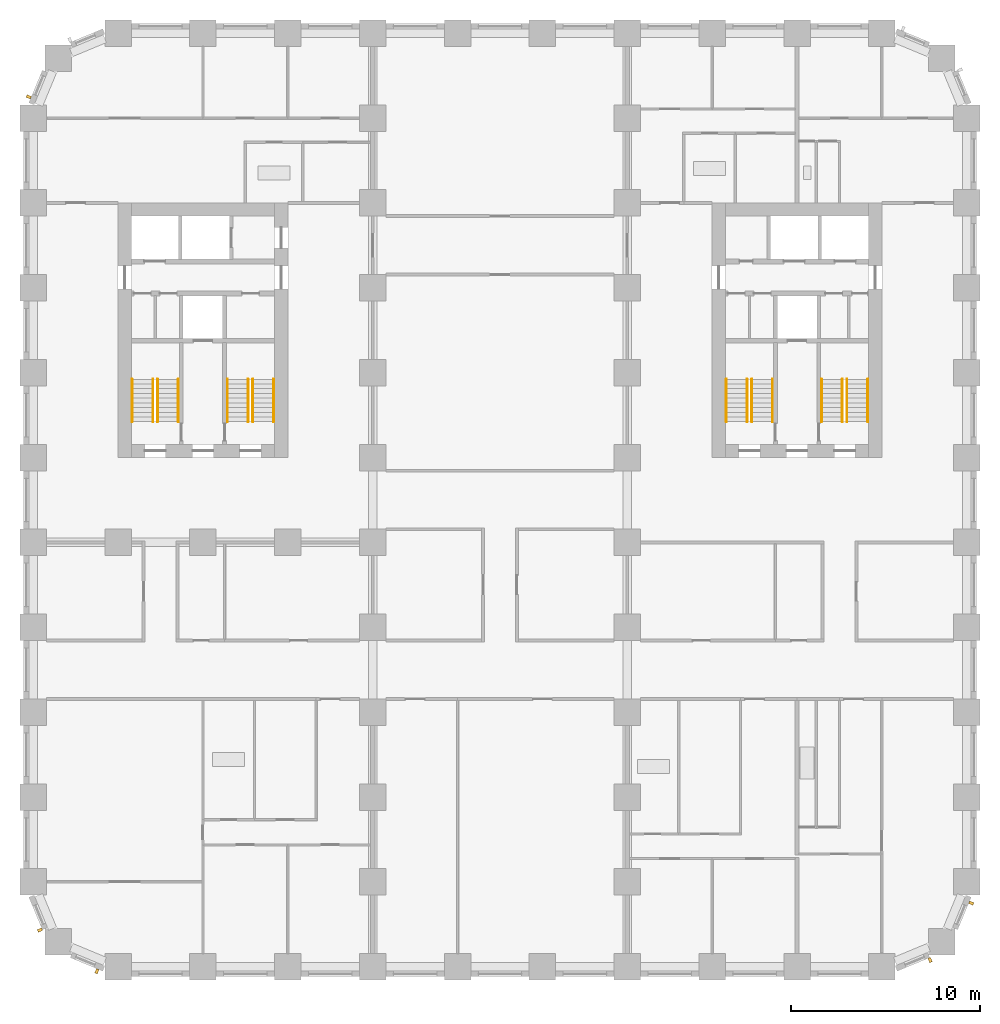
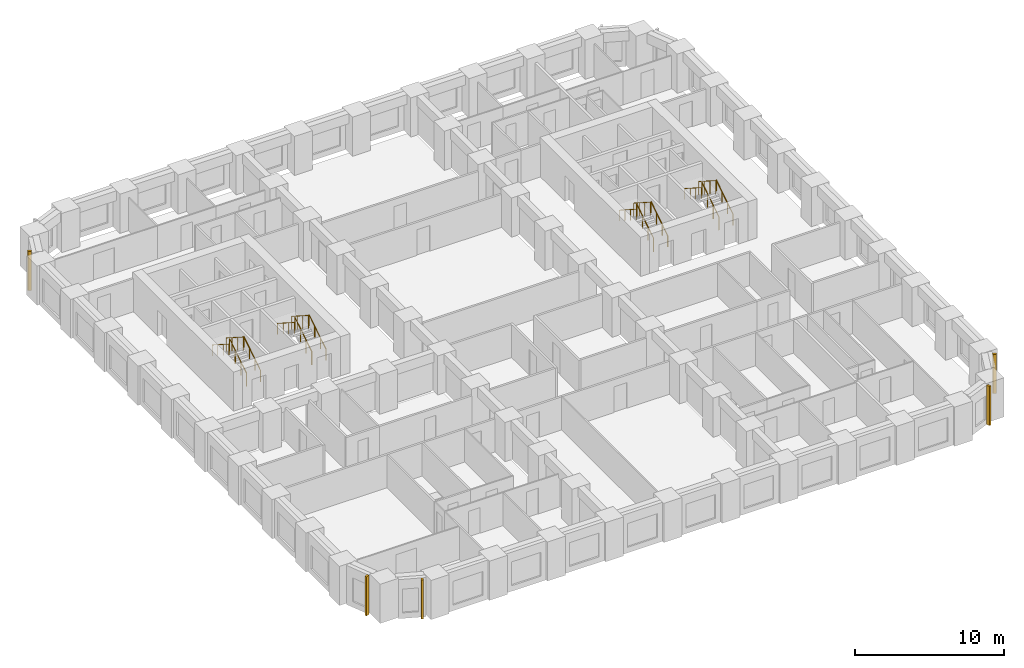
# One storey, part 10 of 12: 16 railings, 5 shading devices.
"""IFC4 building model written with IfcOpenShell, lengths in metres."""

from ifc_helpers import new_model, si_unit, direction, frame, origin, origin_2d, place, context, subcontext, project, spatial, rectangle, circle, extrude, material, type_object, element, save


model = new_model("IFC4")

# Units and contexts
model_context = context("Model", 3, precision=1e-05, world=origin(), true_north=direction((0.0, 1.0)))
body_context = subcontext(model_context, "Body", "Model", "MODEL_VIEW")
ifc_project = project(units=[si_unit("LENGTHUNIT", "METRE"), si_unit("AREAUNIT", "SQUARE_METRE"), si_unit("VOLUMEUNIT", "CUBIC_METRE"), si_unit("PLANEANGLEUNIT", "RADIAN"), si_unit("MASSUNIT", "GRAM", prefix="KILO")], contexts=[model_context])

# Site, building, storey
site_placement = place(None, origin())
site = spatial("IfcSite", under=ifc_project, at=site_placement, CompositionType="ELEMENT")
building_placement = place(site_placement, origin())
building = spatial("IfcBuilding", under=site, at=building_placement, Name="Girih Gate Residences", CompositionType="ELEMENT")
storey_placement = place(building_placement, frame((0.0, 0.0, 72.0)))
storey = spatial("IfcBuildingStorey", under=building, at=storey_placement, Name="L19", CompositionType="ELEMENT", Elevation=72.0)

# Shading devices
ifc_material_1 = material(Name="Precast concrete C50/60", Category="concrete")
shading_device_type = type_object("IfcShadingDeviceType", Name="Corner rib 150x250", PredefinedType="USERDEFINED", material=ifc_material_1)
for number, where, z_axis, x_axis, name in (
    (1, (0.35498046875, 1.9443359375, 0.0), (0.0, 0.0, 1.0), (0.382683432365, -0.923879532511, 0.0), "Corner rib SW0000_0045.0"),
    (2, (3.376220703125, -0.238037109375, 0.0), (0.0, 0.0, 1.0), (0.923879532511, -0.382683432365, 0.0), "Corner rib SW0013_0013.0"),
    (3, (47.5556640625, 0.35498046875, 0.0), (0.0, 0.0, 1.0), (0.923879532511, 0.382683432365, 0.0), "Corner rib SE0450_0000.0"),
    (4, (49.738037109375, 3.376220703125, 0.0), (0.0, 0.0, 1.0), (0.382683432365, 0.923879532511, 0.0), "Corner rib SE0482_0013.0"),
    (5, (-0.238037109375, 46.123779296875, 0.0), (0.0, 0.0, 1.0), (-0.382683432365, -0.923879532511, 0.0), "Corner rib NW0013_0482.0"),
):
    element("IfcShadingDevice", number, at=place(storey_placement, frame(where, z_axis=z_axis, x_axis=x_axis)), inside=storey, type_object=shading_device_type, Name=name, ObjectType="FIN", PredefinedType="USERDEFINED", context=body_context, shape_type="SweptSolid", body=[
        extrude(rectangle(XDim=0.14990234375, YDim=0.25, at=origin_2d()), origin(), (0.0, 0.0, 1.0), 3.199951171875),
    ])

# Railings
ifc_material_2 = material(Name="Stainless steel", Category="steel")
railing_type_1 = type_object("IfcRailingType", Name="Stair guard 1100", PredefinedType="GUARDRAIL", material=ifc_material_2)
railing_1_placement = place(storey_placement, frame((6.60009765625, 28.89990234375, 0.159912109375)))
element("IfcRailing", 6, at=railing_1_placement, inside=storey, type_object=railing_type_1, Name="L19 ST-W1 stair guard 1", PredefinedType="GUARDRAIL", context=body_context, shape_type="SweptSolid", body=[
    extrude(circle(Radius=0.02392578125, at=origin_2d()), frame((0.0, 0.0, 1.076171875), z_axis=(0.0, 0.842239864353, 0.539102968731), x_axis=(-1.0, 0.0, 0.0)), (0.0, 0.0, 1.0), 2.67138671875),
    extrude(circle(Radius=0.02099609375, at=origin_2d()), origin(), (0.0, 0.0, 1.0), 1.052001953125),
    extrude(circle(Radius=0.02099609375, at=origin_2d()), frame((0.0, 0.75, 0.47998046875)), (0.0, 0.0, 1.0), 1.052001953125),
    extrude(circle(Radius=0.02099609375, at=origin_2d()), frame((0.0, 1.5, 0.960205078125)), (0.0, 0.0, 1.0), 1.052001953125),
    extrude(circle(Radius=0.02099609375, at=origin_2d()), frame((0.0, 2.25, 1.440185546875)), (0.0, 0.0, 1.0), 1.052001953125),
])
railing_2_placement = place(storey_placement, frame((6.35009765625, 31.14990234375, 1.760009765625)))
element("IfcRailing", 7, at=railing_2_placement, inside=storey, type_object=railing_type_1, Name="L19 ST-W1 stair guard 2", PredefinedType="GUARDRAIL", context=body_context, shape_type="SweptSolid", body=[
    extrude(circle(Radius=0.02392578125, at=origin_2d()), frame((0.0, 0.0, 1.076171875), z_axis=(0.0, -0.842281359387, 0.539038135598), x_axis=(1.0, 0.0, 0.0)), (0.0, 0.0, 1.0), 2.67138671875),
    extrude(circle(Radius=0.02099609375, at=origin_2d()), origin(), (0.0, 0.0, 1.0), 1.052001953125),
    extrude(circle(Radius=0.02099609375, at=origin_2d()), frame((0.0, -0.75, 0.47998046875)), (0.0, 0.0, 1.0), 1.052001953125),
    extrude(circle(Radius=0.02099609375, at=origin_2d()), frame((0.0, -1.5, 0.9599609375)), (0.0, 0.0, 1.0), 1.052001953125),
    extrude(circle(Radius=0.02099609375, at=origin_2d()), frame((0.0, -2.25, 1.43994140625)), (0.0, 0.0, 1.0), 1.052001953125),
])
railing_3_placement = place(storey_placement, frame((11.64990234375, 28.89990234375, 0.159912109375)))
element("IfcRailing", 8, at=railing_3_placement, inside=storey, type_object=railing_type_1, Name="L19 ST-W2 stair guard 1", PredefinedType="GUARDRAIL", context=body_context, shape_type="SweptSolid", body=[
    extrude(circle(Radius=0.02392578125, at=origin_2d()), frame((0.0, 0.0, 1.076171875), z_axis=(0.0, 0.842239864353, 0.539102968731), x_axis=(-1.0, 0.0, 0.0)), (0.0, 0.0, 1.0), 2.67138671875),
    extrude(circle(Radius=0.02099609375, at=origin_2d()), origin(), (0.0, 0.0, 1.0), 1.052001953125),
    extrude(circle(Radius=0.02099609375, at=origin_2d()), frame((0.0, 0.75, 0.47998046875)), (0.0, 0.0, 1.0), 1.052001953125),
    extrude(circle(Radius=0.02099609375, at=origin_2d()), frame((0.0, 1.5, 0.960205078125)), (0.0, 0.0, 1.0), 1.052001953125),
    extrude(circle(Radius=0.02099609375, at=origin_2d()), frame((0.0, 2.25, 1.440185546875)), (0.0, 0.0, 1.0), 1.052001953125),
])
railing_4_placement = place(storey_placement, frame((11.39990234375, 31.14990234375, 1.760009765625)))
element("IfcRailing", 9, at=railing_4_placement, inside=storey, type_object=railing_type_1, Name="L19 ST-W2 stair guard 2", PredefinedType="GUARDRAIL", context=body_context, shape_type="SweptSolid", body=[
    extrude(circle(Radius=0.02392578125, at=origin_2d()), frame((0.0, 0.0, 1.076171875), z_axis=(0.0, -0.842281359387, 0.539038135598), x_axis=(1.0, 0.0, 0.0)), (0.0, 0.0, 1.0), 2.67138671875),
    extrude(circle(Radius=0.02099609375, at=origin_2d()), origin(), (0.0, 0.0, 1.0), 1.052001953125),
    extrude(circle(Radius=0.02099609375, at=origin_2d()), frame((0.0, -0.75, 0.47998046875)), (0.0, 0.0, 1.0), 1.052001953125),
    extrude(circle(Radius=0.02099609375, at=origin_2d()), frame((0.0, -1.5, 0.9599609375)), (0.0, 0.0, 1.0), 1.052001953125),
    extrude(circle(Radius=0.02099609375, at=origin_2d()), frame((0.0, -2.25, 1.43994140625)), (0.0, 0.0, 1.0), 1.052001953125),
])
railing_5_placement = place(storey_placement, frame((43.14990234375, 28.89990234375, 0.159912109375)))
element("IfcRailing", 10, at=railing_5_placement, inside=storey, type_object=railing_type_1, Name="L19 ST-E1 stair guard 1", PredefinedType="GUARDRAIL", context=body_context, shape_type="SweptSolid", body=[
    extrude(circle(Radius=0.02392578125, at=origin_2d()), frame((0.0, 0.0, 1.076171875), z_axis=(0.0, 0.842239864353, 0.539102968731), x_axis=(-1.0, 0.0, 0.0)), (0.0, 0.0, 1.0), 2.67138671875),
    extrude(circle(Radius=0.02099609375, at=origin_2d()), origin(), (0.0, 0.0, 1.0), 1.052001953125),
    extrude(circle(Radius=0.02099609375, at=origin_2d()), frame((0.0, 0.75, 0.47998046875)), (0.0, 0.0, 1.0), 1.052001953125),
    extrude(circle(Radius=0.02099609375, at=origin_2d()), frame((0.0, 1.5, 0.960205078125)), (0.0, 0.0, 1.0), 1.052001953125),
    extrude(circle(Radius=0.02099609375, at=origin_2d()), frame((0.0, 2.25, 1.440185546875)), (0.0, 0.0, 1.0), 1.052001953125),
])
railing_6_placement = place(storey_placement, frame((42.89990234375, 31.14990234375, 1.760009765625)))
element("IfcRailing", 11, at=railing_6_placement, inside=storey, type_object=railing_type_1, Name="L19 ST-E1 stair guard 2", PredefinedType="GUARDRAIL", context=body_context, shape_type="SweptSolid", body=[
    extrude(circle(Radius=0.02392578125, at=origin_2d()), frame((0.0, 0.0, 1.076171875), z_axis=(0.0, -0.842281359387, 0.539038135598), x_axis=(1.0, 0.0, 0.0)), (0.0, 0.0, 1.0), 2.67138671875),
    extrude(circle(Radius=0.02099609375, at=origin_2d()), origin(), (0.0, 0.0, 1.0), 1.052001953125),
    extrude(circle(Radius=0.02099609375, at=origin_2d()), frame((0.0, -0.75, 0.47998046875)), (0.0, 0.0, 1.0), 1.052001953125),
    extrude(circle(Radius=0.02099609375, at=origin_2d()), frame((0.0, -1.5, 0.9599609375)), (0.0, 0.0, 1.0), 1.052001953125),
    extrude(circle(Radius=0.02099609375, at=origin_2d()), frame((0.0, -2.25, 1.43994140625)), (0.0, 0.0, 1.0), 1.052001953125),
])
railing_7_placement = place(storey_placement, frame((38.10009765625, 28.89990234375, 0.159912109375)))
element("IfcRailing", 12, at=railing_7_placement, inside=storey, type_object=railing_type_1, Name="L19 ST-E2 stair guard 1", PredefinedType="GUARDRAIL", context=body_context, shape_type="SweptSolid", body=[
    extrude(circle(Radius=0.02392578125, at=origin_2d()), frame((0.0, 0.0, 1.076171875), z_axis=(0.0, 0.842239864353, 0.539102968731), x_axis=(-1.0, 0.0, 0.0)), (0.0, 0.0, 1.0), 2.67138671875),
    extrude(circle(Radius=0.02099609375, at=origin_2d()), origin(), (0.0, 0.0, 1.0), 1.052001953125),
    extrude(circle(Radius=0.02099609375, at=origin_2d()), frame((0.0, 0.75, 0.47998046875)), (0.0, 0.0, 1.0), 1.052001953125),
    extrude(circle(Radius=0.02099609375, at=origin_2d()), frame((0.0, 1.5, 0.960205078125)), (0.0, 0.0, 1.0), 1.052001953125),
    extrude(circle(Radius=0.02099609375, at=origin_2d()), frame((0.0, 2.25, 1.440185546875)), (0.0, 0.0, 1.0), 1.052001953125),
])
railing_8_placement = place(storey_placement, frame((37.85009765625, 31.14990234375, 1.760009765625)))
element("IfcRailing", 13, at=railing_8_placement, inside=storey, type_object=railing_type_1, Name="L19 ST-E2 stair guard 2", PredefinedType="GUARDRAIL", context=body_context, shape_type="SweptSolid", body=[
    extrude(circle(Radius=0.02392578125, at=origin_2d()), frame((0.0, 0.0, 1.076171875), z_axis=(0.0, -0.842281359387, 0.539038135598), x_axis=(1.0, 0.0, 0.0)), (0.0, 0.0, 1.0), 2.67138671875),
    extrude(circle(Radius=0.02099609375, at=origin_2d()), origin(), (0.0, 0.0, 1.0), 1.052001953125),
    extrude(circle(Radius=0.02099609375, at=origin_2d()), frame((0.0, -0.75, 0.47998046875)), (0.0, 0.0, 1.0), 1.052001953125),
    extrude(circle(Radius=0.02099609375, at=origin_2d()), frame((0.0, -1.5, 0.9599609375)), (0.0, 0.0, 1.0), 1.052001953125),
    extrude(circle(Radius=0.02099609375, at=origin_2d()), frame((0.0, -2.25, 1.43994140625)), (0.0, 0.0, 1.0), 1.052001953125),
])
railing_type_2 = type_object("IfcRailingType", Name="Stair handrail 900", PredefinedType="HANDRAIL", material=ifc_material_2)
railing_9_placement = place(storey_placement, frame((7.699951171875, 28.89990234375, 0.159912109375)))
element("IfcRailing", 14, at=railing_9_placement, inside=storey, type_object=railing_type_2, Name="L19 ST-W1 stair handrail 1", PredefinedType="HANDRAIL", context=body_context, shape_type="SweptSolid", body=[
    extrude(circle(Radius=0.02392578125, at=origin_2d()), frame((0.0, 0.0, 0.8857421875), z_axis=(0.0, 0.842239864353, 0.539102968731), x_axis=(-1.0, 0.0, 0.0)), (0.0, 0.0, 1.0), 2.67138671875),
    extrude(circle(Radius=0.02099609375, at=origin_2d()), origin(), (0.0, 0.0, 1.0), 0.86181640625),
    extrude(circle(Radius=0.02099609375, at=origin_2d()), frame((0.0, 0.75, 0.47998046875)), (0.0, 0.0, 1.0), 0.86181640625),
    extrude(circle(Radius=0.02099609375, at=origin_2d()), frame((0.0, 1.5, 0.960205078125)), (0.0, 0.0, 1.0), 0.86181640625),
    extrude(circle(Radius=0.02099609375, at=origin_2d()), frame((0.0, 2.25, 1.440185546875)), (0.0, 0.0, 1.0), 0.86181640625),
])
railing_10_placement = place(storey_placement, frame((5.25, 31.14990234375, 1.760009765625)))
element("IfcRailing", 15, at=railing_10_placement, inside=storey, type_object=railing_type_2, Name="L19 ST-W1 stair handrail 2", PredefinedType="HANDRAIL", context=body_context, shape_type="SweptSolid", body=[
    extrude(circle(Radius=0.02392578125, at=origin_2d()), frame((0.0, 0.0, 0.8857421875), z_axis=(0.0, -0.842281359387, 0.539038135598), x_axis=(1.0, 0.0, 0.0)), (0.0, 0.0, 1.0), 2.67138671875),
    extrude(circle(Radius=0.02099609375, at=origin_2d()), origin(), (0.0, 0.0, 1.0), 0.86181640625),
    extrude(circle(Radius=0.02099609375, at=origin_2d()), frame((0.0, -0.75, 0.47998046875)), (0.0, 0.0, 1.0), 0.86181640625),
    extrude(circle(Radius=0.02099609375, at=origin_2d()), frame((0.0, -1.5, 0.9599609375)), (0.0, 0.0, 1.0), 0.86181640625),
    extrude(circle(Radius=0.02099609375, at=origin_2d()), frame((0.0, -2.25, 1.43994140625)), (0.0, 0.0, 1.0), 0.86181640625),
])
railing_11_placement = place(storey_placement, frame((12.75, 28.89990234375, 0.159912109375)))
element("IfcRailing", 16, at=railing_11_placement, inside=storey, type_object=railing_type_2, Name="L19 ST-W2 stair handrail 1", PredefinedType="HANDRAIL", context=body_context, shape_type="SweptSolid", body=[
    extrude(circle(Radius=0.02392578125, at=origin_2d()), frame((0.0, 0.0, 0.8857421875), z_axis=(0.0, 0.842239864353, 0.539102968731), x_axis=(-1.0, 0.0, 0.0)), (0.0, 0.0, 1.0), 2.67138671875),
    extrude(circle(Radius=0.02099609375, at=origin_2d()), origin(), (0.0, 0.0, 1.0), 0.86181640625),
    extrude(circle(Radius=0.02099609375, at=origin_2d()), frame((0.0, 0.75, 0.47998046875)), (0.0, 0.0, 1.0), 0.86181640625),
    extrude(circle(Radius=0.02099609375, at=origin_2d()), frame((0.0, 1.5, 0.960205078125)), (0.0, 0.0, 1.0), 0.86181640625),
    extrude(circle(Radius=0.02099609375, at=origin_2d()), frame((0.0, 2.25, 1.440185546875)), (0.0, 0.0, 1.0), 0.86181640625),
])
railing_12_placement = place(storey_placement, frame((10.300048828125, 31.14990234375, 1.760009765625)))
element("IfcRailing", 17, at=railing_12_placement, inside=storey, type_object=railing_type_2, Name="L19 ST-W2 stair handrail 2", PredefinedType="HANDRAIL", context=body_context, shape_type="SweptSolid", body=[
    extrude(circle(Radius=0.02392578125, at=origin_2d()), frame((0.0, 0.0, 0.8857421875), z_axis=(0.0, -0.842281359387, 0.539038135598), x_axis=(1.0, 0.0, 0.0)), (0.0, 0.0, 1.0), 2.67138671875),
    extrude(circle(Radius=0.02099609375, at=origin_2d()), origin(), (0.0, 0.0, 1.0), 0.86181640625),
    extrude(circle(Radius=0.02099609375, at=origin_2d()), frame((0.0, -0.75, 0.47998046875)), (0.0, 0.0, 1.0), 0.86181640625),
    extrude(circle(Radius=0.02099609375, at=origin_2d()), frame((0.0, -1.5, 0.9599609375)), (0.0, 0.0, 1.0), 0.86181640625),
    extrude(circle(Radius=0.02099609375, at=origin_2d()), frame((0.0, -2.25, 1.43994140625)), (0.0, 0.0, 1.0), 0.86181640625),
])
railing_13_placement = place(storey_placement, frame((44.25, 28.89990234375, 0.159912109375)))
element("IfcRailing", 18, at=railing_13_placement, inside=storey, type_object=railing_type_2, Name="L19 ST-E1 stair handrail 1", PredefinedType="HANDRAIL", context=body_context, shape_type="SweptSolid", body=[
    extrude(circle(Radius=0.02392578125, at=origin_2d()), frame((0.0, 0.0, 0.8857421875), z_axis=(0.0, 0.842239864353, 0.539102968731), x_axis=(-1.0, 0.0, 0.0)), (0.0, 0.0, 1.0), 2.67138671875),
    extrude(circle(Radius=0.02099609375, at=origin_2d()), origin(), (0.0, 0.0, 1.0), 0.86181640625),
    extrude(circle(Radius=0.02099609375, at=origin_2d()), frame((0.0, 0.75, 0.47998046875)), (0.0, 0.0, 1.0), 0.86181640625),
    extrude(circle(Radius=0.02099609375, at=origin_2d()), frame((0.0, 1.5, 0.960205078125)), (0.0, 0.0, 1.0), 0.86181640625),
    extrude(circle(Radius=0.02099609375, at=origin_2d()), frame((0.0, 2.25, 1.440185546875)), (0.0, 0.0, 1.0), 0.86181640625),
])
railing_14_placement = place(storey_placement, frame((41.800048828125, 31.14990234375, 1.760009765625)))
element("IfcRailing", 19, at=railing_14_placement, inside=storey, type_object=railing_type_2, Name="L19 ST-E1 stair handrail 2", PredefinedType="HANDRAIL", context=body_context, shape_type="SweptSolid", body=[
    extrude(circle(Radius=0.02392578125, at=origin_2d()), frame((0.0, 0.0, 0.8857421875), z_axis=(0.0, -0.842281359387, 0.539038135598), x_axis=(1.0, 0.0, 0.0)), (0.0, 0.0, 1.0), 2.67138671875),
    extrude(circle(Radius=0.02099609375, at=origin_2d()), origin(), (0.0, 0.0, 1.0), 0.86181640625),
    extrude(circle(Radius=0.02099609375, at=origin_2d()), frame((0.0, -0.75, 0.47998046875)), (0.0, 0.0, 1.0), 0.86181640625),
    extrude(circle(Radius=0.02099609375, at=origin_2d()), frame((0.0, -1.5, 0.9599609375)), (0.0, 0.0, 1.0), 0.86181640625),
    extrude(circle(Radius=0.02099609375, at=origin_2d()), frame((0.0, -2.25, 1.43994140625)), (0.0, 0.0, 1.0), 0.86181640625),
])
railing_15_placement = place(storey_placement, frame((39.199951171875, 28.89990234375, 0.159912109375)))
element("IfcRailing", 20, at=railing_15_placement, inside=storey, type_object=railing_type_2, Name="L19 ST-E2 stair handrail 1", PredefinedType="HANDRAIL", context=body_context, shape_type="SweptSolid", body=[
    extrude(circle(Radius=0.02392578125, at=origin_2d()), frame((0.0, 0.0, 0.8857421875), z_axis=(0.0, 0.842239864353, 0.539102968731), x_axis=(-1.0, 0.0, 0.0)), (0.0, 0.0, 1.0), 2.67138671875),
    extrude(circle(Radius=0.02099609375, at=origin_2d()), origin(), (0.0, 0.0, 1.0), 0.86181640625),
    extrude(circle(Radius=0.02099609375, at=origin_2d()), frame((0.0, 0.75, 0.47998046875)), (0.0, 0.0, 1.0), 0.86181640625),
    extrude(circle(Radius=0.02099609375, at=origin_2d()), frame((0.0, 1.5, 0.960205078125)), (0.0, 0.0, 1.0), 0.86181640625),
    extrude(circle(Radius=0.02099609375, at=origin_2d()), frame((0.0, 2.25, 1.440185546875)), (0.0, 0.0, 1.0), 0.86181640625),
])
railing_16_placement = place(storey_placement, frame((36.75, 31.14990234375, 1.760009765625)))
element("IfcRailing", 21, at=railing_16_placement, inside=storey, type_object=railing_type_2, Name="L19 ST-E2 stair handrail 2", PredefinedType="HANDRAIL", context=body_context, shape_type="SweptSolid", body=[
    extrude(circle(Radius=0.02392578125, at=origin_2d()), frame((0.0, 0.0, 0.8857421875), z_axis=(0.0, -0.842281359387, 0.539038135598), x_axis=(1.0, 0.0, 0.0)), (0.0, 0.0, 1.0), 2.67138671875),
    extrude(circle(Radius=0.02099609375, at=origin_2d()), origin(), (0.0, 0.0, 1.0), 0.86181640625),
    extrude(circle(Radius=0.02099609375, at=origin_2d()), frame((0.0, -0.75, 0.47998046875)), (0.0, 0.0, 1.0), 0.86181640625),
    extrude(circle(Radius=0.02099609375, at=origin_2d()), frame((0.0, -1.5, 0.9599609375)), (0.0, 0.0, 1.0), 0.86181640625),
    extrude(circle(Radius=0.02099609375, at=origin_2d()), frame((0.0, -2.25, 1.43994140625)), (0.0, 0.0, 1.0), 0.86181640625),
])

save(model, "model.ifc")
